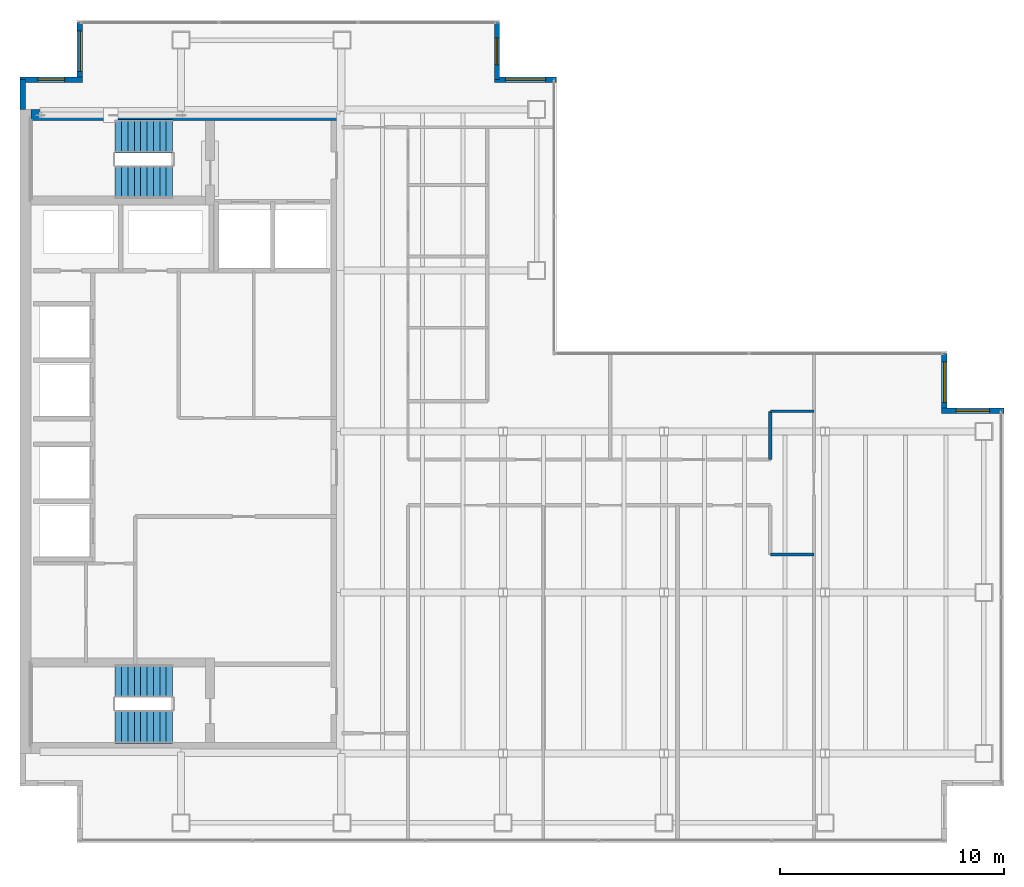
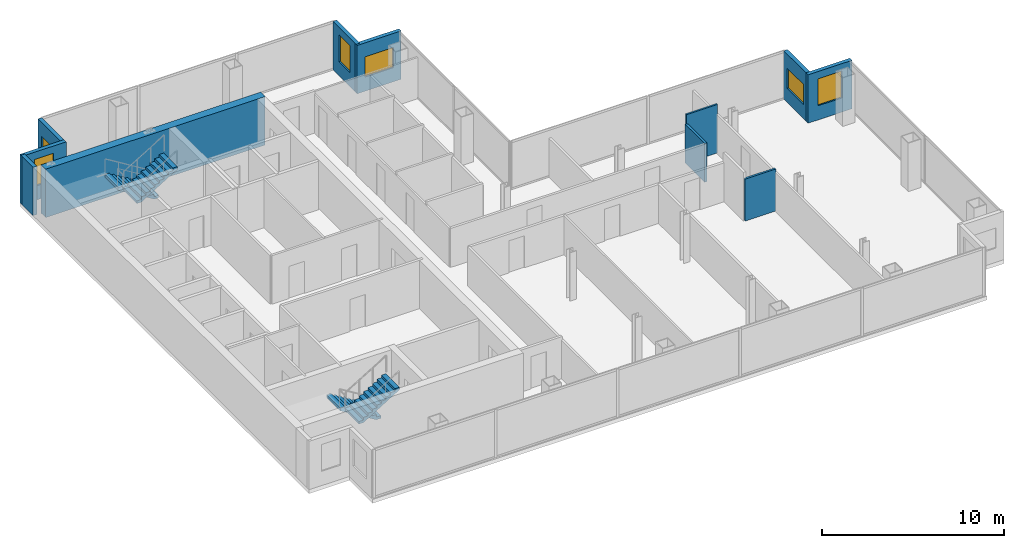
# One storey, part 22 of 23: 11 walls, 6 windows, 4 stair flights, 6 openings, 2 elements without a shape of their own.
"""IFC4 building model written with IfcOpenShell, lengths in metres."""

from ifc_helpers import new_model, si_unit, direction, frame, frame_2d, origin, place, context, subcontext, project, spatial, polyline, rectangle, outline, extrude, material, layer, layer_set, type_object, element, fill, aggregate, save


model = new_model("IFC4")

# Units and contexts
model_context = context("Model", 3, precision=1e-05, world=origin(), true_north=direction((0.0, 1.0)))
body_context = subcontext(model_context, "Body", "Model", "MODEL_VIEW")
ifc_project = project(units=[si_unit("LENGTHUNIT", "METRE"), si_unit("AREAUNIT", "SQUARE_METRE"), si_unit("VOLUMEUNIT", "CUBIC_METRE"), si_unit("PLANEANGLEUNIT", "RADIAN"), si_unit("MASSUNIT", "GRAM", prefix="KILO")], contexts=[model_context])

# Site, building, storey
site_placement = place(None, origin())
site = spatial("IfcSite", under=ifc_project, at=site_placement, CompositionType="ELEMENT")
building_placement = place(site_placement, origin())
building = spatial("IfcBuilding", under=site, at=building_placement, Name="Cobrela Telecom Tower", CompositionType="ELEMENT")
storey_placement = place(building_placement, frame((0.0, 0.0, 190.75)))
storey = spatial("IfcBuildingStorey", under=building, at=storey_placement, Name="L48", CompositionType="ELEMENT", Elevation=190.75)

# Walls
ifc_material_1 = material(Name="Concrete C40/50", Category="concrete")
ifc_layer_1 = layer(ifc_material_1, 0.5)
ifc_layer_set_1 = layer_set([ifc_layer_1], Name="Concrete C40/50")
wall_type_1 = type_object("IfcWallType", Name="WALL-CORE-C40-500", PredefinedType="SHEAR", material=ifc_layer_set_1)
wall_1_placement = place(storey_placement, frame((0.5, 35.75, 0.0), z_axis=(0.0, 0.0, 1.0), x_axis=(1.0, 0.0, 0.0)))
element("IfcWall", 1, at=wall_1_placement, inside=storey, type_object=wall_type_1, Name="L48 North Core Shear Wall", PredefinedType="SHEAR", context=body_context, shape_type="SweptSolid", body=[
    extrude(rectangle(XDim=13.89990234375, YDim=0.5, at=frame_2d((6.949951171875, 0.0))), origin(), (0.0, 0.0, 1.0), 3.239990234375),
])
ifc_layer_2 = layer(ifc_material_1, 0.239990234375)
ifc_layer_set_2 = layer_set([ifc_layer_2], Name="Concrete C40/50")
wall_type_2 = type_object("IfcWallType", Name="WALL-EXT-300", PredefinedType="STANDARD", material=ifc_layer_set_2)
wall_2_placement = place(storey_placement, frame((0.1201171875, 36.0, 0.0), z_axis=(0.0, 0.0, 1.0), x_axis=(0.0, 1.0, 0.0)))
element("IfcWall", 2, at=wall_2_placement, inside=storey, type_object=wall_type_2, Name="L48 Insulated Facade Wall 04", PredefinedType="STANDARD", context=body_context, shape_type="SweptSolid", body=[
    extrude(rectangle(XDim=1.330078125, YDim=0.239990234375, at=frame_2d((0.6650390625, 0.0))), origin(), (0.0, 0.0, 1.0), 3.239990234375),
])

# Wall, opening, window
wall_3_placement = place(storey_placement, frame((0.0, 37.330078125, 0.0), z_axis=(0.0, 0.0, 1.0), x_axis=(1.0, 0.0, 0.0)))
wall_3 = element("IfcWall", 3, at=wall_3_placement, inside=storey, type_object=wall_type_2, Name="L48 Insulated Facade Wall 05", PredefinedType="STANDARD", context=body_context, shape_type="SweptSolid", body=[
    extrude(rectangle(XDim=2.7900390625, YDim=0.239990234375, at=frame_2d((1.39501953125, 0.0))), origin(), (0.0, 0.0, 1.0), 3.239990234375),
])
opening_1_placement = place(wall_3_placement, frame((0.794921875, 0.0, 0.949951171875)))
opening_1 = element("IfcOpeningElement", 4, at=opening_1_placement, cuts=wall_3, Name="Opening WN-19", PredefinedType="OPENING", context=body_context, shape_type="SweptSolid", body=[
    extrude(rectangle(XDim=1.199951171875, YDim=1.800048828125, at=frame_2d((0.60009765625, 0.89990234375))), frame((0.0, 0.1318359375, 0.0), z_axis=(0.0, -1.0, 0.0), x_axis=(1.0, 0.0, 0.0)), (0.0, 0.0, 1.0), 0.263916015625),
])
ifc_material_2 = material(Name="Solar-Control Bronze Low-E Glass", Category="glass")
window_type_1 = type_object("IfcWindowType", Name="WIN-MOD-1200", PartitioningType="SINGLE_PANEL", PredefinedType="WINDOW", material=ifc_material_2)
window_1_placement = place(opening_1_placement, origin())
window_1 = element("IfcWindow", 5, at=window_1_placement, inside=storey, type_object=window_type_1, Name="L48 Corner Notch Facade Window 231", OverallHeight=1.800048828125, OverallWidth=1.199951171875, PartitioningType="SINGLE_PANEL", PredefinedType="WINDOW", context=body_context, shape_type="SweptSolid", body=[
    extrude(rectangle(XDim=1.199951171875, YDim=1.800048828125, at=frame_2d((0.60009765625, 0.89990234375))), frame((0.0, 0.030029296875, 0.0), z_axis=(0.0, -1.0, 0.0), x_axis=(1.0, 0.0, 0.0)), (0.0, 0.0, 1.0), 0.06005859375),
])
fill(opening_1, window_1)

wall_4_placement = place(storey_placement, frame((2.669921875, 37.330078125, 0.0), z_axis=(0.0, 0.0, 1.0), x_axis=(0.0, 1.0, 0.0)))
wall_4 = element("IfcWall", 6, at=wall_4_placement, inside=storey, type_object=wall_type_2, Name="L48 Insulated Facade Wall 06", PredefinedType="STANDARD", context=body_context, shape_type="SweptSolid", body=[
    extrude(rectangle(XDim=2.5498046875, YDim=0.239990234375, at=frame_2d((1.27490234375, 0.0))), origin(), (0.0, 0.0, 1.0), 3.239990234375),
])
opening_2_placement = place(wall_4_placement, frame((0.375, 0.0, 0.949951171875)))
opening_2 = element("IfcOpeningElement", 7, at=opening_2_placement, cuts=wall_4, Name="Opening WN-27", PredefinedType="OPENING", context=body_context, shape_type="SweptSolid", body=[
    extrude(rectangle(XDim=1.800048828125, YDim=1.35009765625, at=frame_2d((0.89990234375, 0.675048828125))), frame((0.0, 0.1318359375, 0.0), z_axis=(0.0, -1.0, 0.0), x_axis=(1.0, 0.0, 0.0)), (0.0, 0.0, 1.0), 0.263916015625),
])
window_type_2 = type_object("IfcWindowType", Name="WIN-CLER-1800", PartitioningType="SINGLE_PANEL", PredefinedType="WINDOW", material=ifc_material_2)
window_2_placement = place(opening_2_placement, origin())
window_2 = element("IfcWindow", 8, at=window_2_placement, inside=storey, type_object=window_type_2, Name="L48 Corner Notch Facade Window 232", OverallHeight=1.35009765625, OverallWidth=1.800048828125, PartitioningType="SINGLE_PANEL", PredefinedType="WINDOW", context=body_context, shape_type="SweptSolid", body=[
    extrude(rectangle(XDim=1.800048828125, YDim=1.35009765625, at=frame_2d((0.89990234375, 0.675048828125))), frame((0.0, 0.030029296875, 0.0), z_axis=(0.0, -1.0, 0.0), x_axis=(1.0, 0.0, 0.0)), (0.0, 0.0, 1.0), 0.06005859375),
])
fill(opening_2, window_2)

wall_5_placement = place(storey_placement, frame((21.330078125, 39.8798828125, 0.0), z_axis=(0.0, 0.0, 1.0), x_axis=(0.0, -1.0, 0.0)))
wall_5 = element("IfcWall", 9, at=wall_5_placement, inside=storey, type_object=wall_type_2, Name="L48 Insulated Facade Wall 08", PredefinedType="STANDARD", context=body_context, shape_type="SweptSolid", body=[
    extrude(rectangle(XDim=2.5498046875, YDim=0.239990234375, at=frame_2d((1.27490234375, 0.0))), origin(), (0.0, 0.0, 1.0), 3.239990234375),
])
opening_3_placement = place(wall_5_placement, frame((0.675048828125, 0.0, 0.949951171875)))
opening_3 = element("IfcOpeningElement", 10, at=opening_3_placement, cuts=wall_5, Name="Opening WN-19", PredefinedType="OPENING", context=body_context, shape_type="SweptSolid", body=[
    extrude(rectangle(XDim=1.199951171875, YDim=1.800048828125, at=frame_2d((0.60009765625, 0.89990234375))), frame((0.0, 0.1318359375, 0.0), z_axis=(0.0, -1.0, 0.0), x_axis=(1.0, 0.0, 0.0)), (0.0, 0.0, 1.0), 0.263916015625),
])
window_3_placement = place(opening_3_placement, origin())
window_3 = element("IfcWindow", 11, at=window_3_placement, inside=storey, type_object=window_type_1, Name="L48 Corner Notch Facade Window 233", OverallHeight=1.800048828125, OverallWidth=1.199951171875, PartitioningType="SINGLE_PANEL", PredefinedType="WINDOW", context=body_context, shape_type="SweptSolid", body=[
    extrude(rectangle(XDim=1.199951171875, YDim=1.800048828125, at=frame_2d((0.60009765625, 0.89990234375))), frame((0.0, 0.030029296875, 0.0), z_axis=(0.0, -1.0, 0.0), x_axis=(1.0, 0.0, 0.0)), (0.0, 0.0, 1.0), 0.06005859375),
])
fill(opening_3, window_3)

wall_6_placement = place(storey_placement, frame((21.2099609375, 37.330078125, 0.0), z_axis=(0.0, 0.0, 1.0), x_axis=(1.0, 0.0, 0.0)))
wall_6 = element("IfcWall", 12, at=wall_6_placement, inside=storey, type_object=wall_type_2, Name="L48 Insulated Facade Wall 09", PredefinedType="STANDARD", context=body_context, shape_type="SweptSolid", body=[
    extrude(rectangle(XDim=2.7900390625, YDim=0.239990234375, at=frame_2d((1.39501953125, 0.0))), origin(), (0.0, 0.0, 1.0), 3.239990234375),
])
opening_4_placement = place(wall_6_placement, frame((0.4951171875, 0.0, 0.949951171875)))
opening_4 = element("IfcOpeningElement", 13, at=opening_4_placement, cuts=wall_6, Name="Opening WN-27", PredefinedType="OPENING", context=body_context, shape_type="SweptSolid", body=[
    extrude(rectangle(XDim=1.800048828125, YDim=1.35009765625, at=frame_2d((0.89990234375, 0.675048828125))), frame((0.0, 0.1318359375, 0.0), z_axis=(0.0, -1.0, 0.0), x_axis=(1.0, 0.0, 0.0)), (0.0, 0.0, 1.0), 0.263916015625),
])
window_4_placement = place(opening_4_placement, origin())
window_4 = element("IfcWindow", 14, at=window_4_placement, inside=storey, type_object=window_type_2, Name="L48 Corner Notch Facade Window 234", OverallHeight=1.35009765625, OverallWidth=1.800048828125, PartitioningType="SINGLE_PANEL", PredefinedType="WINDOW", context=body_context, shape_type="SweptSolid", body=[
    extrude(rectangle(XDim=1.800048828125, YDim=1.35009765625, at=frame_2d((0.89990234375, 0.675048828125))), frame((0.0, 0.030029296875, 0.0), z_axis=(0.0, -1.0, 0.0), x_axis=(1.0, 0.0, 0.0)), (0.0, 0.0, 1.0), 0.06005859375),
])
fill(opening_4, window_4)

wall_7_placement = place(storey_placement, frame((41.330078125, 25.080078125, 0.0), z_axis=(0.0, 0.0, 1.0), x_axis=(0.0, -1.0, 0.0)))
wall_7 = element("IfcWall", 15, at=wall_7_placement, inside=storey, type_object=wall_type_2, Name="L48 Insulated Facade Wall 12", PredefinedType="STANDARD", context=body_context, shape_type="SweptSolid", body=[
    extrude(rectangle(XDim=2.550048828125, YDim=0.239990234375, at=frame_2d((1.27490234375, 0.0))), origin(), (0.0, 0.0, 1.0), 3.239990234375),
])
opening_5_placement = place(wall_7_placement, frame((0.375, 0.0, 0.949951171875)))
opening_5 = element("IfcOpeningElement", 16, at=opening_5_placement, cuts=wall_7, Name="Opening WN-27", PredefinedType="OPENING", context=body_context, shape_type="SweptSolid", body=[
    extrude(rectangle(XDim=1.800048828125, YDim=1.35009765625, at=frame_2d((0.89990234375, 0.675048828125))), frame((0.0, 0.1318359375, 0.0), z_axis=(0.0, -1.0, 0.0), x_axis=(1.0, 0.0, 0.0)), (0.0, 0.0, 1.0), 0.263916015625),
])
window_5_placement = place(opening_5_placement, origin())
window_5 = element("IfcWindow", 17, at=window_5_placement, inside=storey, type_object=window_type_2, Name="L48 Corner Notch Facade Window 235", OverallHeight=1.35009765625, OverallWidth=1.800048828125, PartitioningType="SINGLE_PANEL", PredefinedType="WINDOW", context=body_context, shape_type="SweptSolid", body=[
    extrude(rectangle(XDim=1.800048828125, YDim=1.35009765625, at=frame_2d((0.89990234375, 0.675048828125))), frame((0.0, 0.030029296875, 0.0), z_axis=(0.0, -1.0, 0.0), x_axis=(1.0, 0.0, 0.0)), (0.0, 0.0, 1.0), 0.06005859375),
])
fill(opening_5, window_5)

wall_8_placement = place(storey_placement, frame((41.2099609375, 22.530029296875, 0.0), z_axis=(0.0, 0.0, 1.0), x_axis=(1.0, 0.0, 0.0)))
wall_8 = element("IfcWall", 18, at=wall_8_placement, inside=storey, type_object=wall_type_2, Name="L48 Insulated Facade Wall 13", PredefinedType="STANDARD", context=body_context, shape_type="SweptSolid", body=[
    extrude(rectangle(XDim=2.7900390625, YDim=0.239990234375, at=frame_2d((1.39501953125, 0.0))), origin(), (0.0, 0.0, 1.0), 3.239990234375),
])
opening_6_placement = place(wall_8_placement, frame((0.64501953125, 0.0, 0.949951171875)))
opening_6 = element("IfcOpeningElement", 19, at=opening_6_placement, cuts=wall_8, Name="Opening WN-45", PredefinedType="OPENING", context=body_context, shape_type="SweptSolid", body=[
    extrude(rectangle(XDim=1.5, YDim=1.800048828125, at=frame_2d((0.75, 0.89990234375))), frame((0.0, 0.1318359375, 0.0), z_axis=(0.0, -1.0, 0.0), x_axis=(1.0, 0.0, 0.0)), (0.0, 0.0, 1.0), 0.263916015625),
])
window_type_3 = type_object("IfcWindowType", Name="WIN-MOD-1500", PartitioningType="SINGLE_PANEL", PredefinedType="WINDOW", material=ifc_material_2)
window_6_placement = place(opening_6_placement, origin())
window_6 = element("IfcWindow", 20, at=window_6_placement, inside=storey, type_object=window_type_3, Name="L48 Corner Notch Facade Window 236", OverallHeight=1.800048828125, OverallWidth=1.5, PartitioningType="SINGLE_PANEL", PredefinedType="WINDOW", context=body_context, shape_type="SweptSolid", body=[
    extrude(rectangle(XDim=1.5, YDim=1.800048828125, at=frame_2d((0.75, 0.89990234375))), frame((0.0, 0.030029296875, 0.0), z_axis=(0.0, -1.0, 0.0), x_axis=(1.0, 0.0, 0.0)), (0.0, 0.0, 1.0), 0.06005859375),
])
fill(opening_6, window_6)

# Walls
ifc_material_3 = material(Name="Fire-Rated Gypsum Plasterboard")
ifc_layer_3 = layer(ifc_material_3, 0.110107421875)
ifc_layer_set_3 = layer_set([ifc_layer_3], Name="Fire-Rated Gypsum Plasterboard")
wall_type_3 = type_object("IfcWallType", Name="WALL-PART-110", PredefinedType="PARTITIONING", material=ifc_layer_set_3)
wall_9_placement = place(storey_placement, frame((33.550048828125, 22.5, 0.0), z_axis=(0.0, 0.0, 1.0), x_axis=(1.0, 0.0, 0.0)))
element("IfcWall", 21, at=wall_9_placement, inside=storey, type_object=wall_type_3, Name="L48 Interior Partition W-CT-N", PredefinedType="PARTITIONING", context=body_context, shape_type="SweptSolid", body=[
    extrude(rectangle(XDim=1.949951171875, YDim=0.110107421875, at=frame_2d((0.97509765625, 0.0))), origin(), (0.0, 0.0, 1.0), 3.239990234375),
])
ifc_layer_4 = layer(ifc_material_3, 0.135009765625)
ifc_layer_set_4 = layer_set([ifc_layer_4], Name="Fire-Rated Gypsum Plasterboard")
wall_type_4 = type_object("IfcWallType", Name="WALL-PART-135", PredefinedType="PARTITIONING", material=ifc_layer_set_4)
wall_10_placement = place(storey_placement, frame((33.550048828125, 16.10009765625, 0.0), z_axis=(0.0, 0.0, 1.0), x_axis=(1.0, 0.0, 0.0)))
element("IfcWall", 22, at=wall_10_placement, inside=storey, type_object=wall_type_4, Name="L48 Interior Partition W-CT-S", PredefinedType="PARTITIONING", context=body_context, shape_type="SweptSolid", body=[
    extrude(rectangle(XDim=1.949951171875, YDim=0.135009765625, at=frame_2d((0.97509765625, 0.0))), origin(), (0.0, 0.0, 1.0), 2.80810546875),
])
ifc_layer_5 = layer(ifc_material_3, 0.14990234375)
ifc_layer_set_5 = layer_set([ifc_layer_5], Name="Fire-Rated Gypsum Plasterboard")
wall_type_5 = type_object("IfcWallType", Name="WALL-PART-150", PredefinedType="PARTITIONING", material=ifc_layer_set_5)
wall_11_placement = place(storey_placement, frame((33.550048828125, 20.35009765625, 0.0), z_axis=(0.0, 0.0, 1.0), x_axis=(0.0, 1.0, 0.0)))
element("IfcWall", 23, at=wall_11_placement, inside=storey, type_object=wall_type_5, Name="L48 Interior Partition W-CT-JW2", PredefinedType="PARTITIONING", context=body_context, shape_type="SweptSolid", body=[
    extrude(rectangle(XDim=2.14990234375, YDim=0.14990234375, at=frame_2d((1.074951171875, 0.0))), origin(), (0.0, 0.0, 1.0), 2.60302734375),
])

# Stair, stair flights
stair_type = type_object("IfcStairType", Name="STAIR-CORE", PredefinedType="HALF_TURN_STAIR", material=ifc_material_1)
stair_1_placement = place(storey_placement, origin())
stair_1 = element("IfcStair", 24, at=stair_1_placement, inside=storey, type_object=stair_type, Name="L48 Smokeproof Exit Stair ST1", PredefinedType="HALF_TURN_STAIR")
stair_flight_type = type_object("IfcStairFlightType", Name="FLIGHT-CORE", PredefinedType="STRAIGHT", material=ifc_material_1)
stair_flight_1_placement = place(storey_placement, frame((6.820068359375, 34.800048828125, 0.0), z_axis=(0.0, 0.0, 1.0), x_axis=(-1.0, 0.0, 0.0)))
stair_flight_1 = element("IfcStairFlight", 25, at=stair_flight_1_placement, type_object=stair_flight_type, Name="ST1 flight 1", NumberOfRisers=10, NumberOfTreads=9, PredefinedType="STRAIGHT", RiserHeight=0.175, TreadLength=0.285, context=body_context, shape_type="SweptSolid", body=[
    extrude(outline(polyline([(0.0, 0.0), (0.0, 0.175048828125), (0.284912109375, 0.175048828125), (0.284912109375, 0.35009765625), (0.570068359375, 0.35009765625), (0.570068359375, 0.52490234375), (0.85498046875, 0.52490234375), (0.85498046875, 0.699951171875), (1.139892578125, 0.699951171875), (1.139892578125, 0.875), (1.425048828125, 0.875), (1.425048828125, 1.050048828125), (1.7099609375, 1.050048828125), (1.7099609375, 1.22509765625), (1.9951171875, 1.22509765625), (1.9951171875, 1.39990234375), (2.280029296875, 1.39990234375), (2.280029296875, 1.574951171875), (2.56494140625, 1.574951171875), (2.56494140625, 1.75), (2.56494140625, 1.399169921875), (0.286376953125, 0.0), (0.0, 0.0)])), frame((0.0, 0.75, 0.0), z_axis=(0.0, -1.0, 0.0), x_axis=(1.0, 0.0, 0.0)), (0.0, 0.0, 1.0), 1.5),
])
stair_flight_2_placement = place(storey_placement, frame((4.2548828125, 32.75, 1.75), z_axis=(0.0, 0.0, 1.0), x_axis=(1.0, 0.0, 0.0)))
stair_flight_2 = element("IfcStairFlight", 26, at=stair_flight_2_placement, type_object=stair_flight_type, Name="ST1 flight 2", NumberOfRisers=10, NumberOfTreads=9, PredefinedType="STRAIGHT", RiserHeight=0.175, TreadLength=0.285, context=body_context, shape_type="SweptSolid", body=[
    extrude(outline(polyline([(0.0, 0.0), (0.0, 0.175048828125), (0.284912109375, 0.175048828125), (0.284912109375, 0.35009765625), (0.570068359375, 0.35009765625), (0.570068359375, 0.52490234375), (0.85498046875, 0.52490234375), (0.85498046875, 0.699951171875), (1.139892578125, 0.699951171875), (1.139892578125, 0.875), (1.425048828125, 0.875), (1.425048828125, 1.050048828125), (1.7099609375, 1.050048828125), (1.7099609375, 1.22509765625), (1.9951171875, 1.22509765625), (1.9951171875, 1.39990234375), (2.280029296875, 1.39990234375), (2.280029296875, 1.574951171875), (2.56494140625, 1.574951171875), (2.56494140625, 1.75), (2.56494140625, 1.399169921875), (0.286376953125, 0.0), (0.0, 0.0)])), frame((0.0, 0.75, 0.0), z_axis=(0.0, -1.0, 0.0), x_axis=(1.0, 0.0, 0.0)), (0.0, 0.0, 1.0), 1.5),
])
aggregate(stair_1, [stair_flight_1, stair_flight_2])

stair_2_placement = place(storey_placement, origin())
stair_2 = element("IfcStair", 27, at=stair_2_placement, inside=storey, type_object=stair_type, Name="L48 Smokeproof Exit Stair ST2", PredefinedType="HALF_TURN_STAIR")
stair_flight_3_placement = place(storey_placement, frame((6.820068359375, 10.449951171875, 0.0), z_axis=(0.0, 0.0, 1.0), x_axis=(-1.0, 0.0, 0.0)))
stair_flight_3 = element("IfcStairFlight", 28, at=stair_flight_3_placement, type_object=stair_flight_type, Name="ST2 flight 1", NumberOfRisers=10, NumberOfTreads=9, PredefinedType="STRAIGHT", RiserHeight=0.175, TreadLength=0.285, context=body_context, shape_type="SweptSolid", body=[
    extrude(outline(polyline([(0.0, 0.0), (0.0, 0.175048828125), (0.284912109375, 0.175048828125), (0.284912109375, 0.35009765625), (0.570068359375, 0.35009765625), (0.570068359375, 0.52490234375), (0.85498046875, 0.52490234375), (0.85498046875, 0.699951171875), (1.139892578125, 0.699951171875), (1.139892578125, 0.875), (1.425048828125, 0.875), (1.425048828125, 1.050048828125), (1.7099609375, 1.050048828125), (1.7099609375, 1.22509765625), (1.9951171875, 1.22509765625), (1.9951171875, 1.39990234375), (2.280029296875, 1.39990234375), (2.280029296875, 1.574951171875), (2.56494140625, 1.574951171875), (2.56494140625, 1.75), (2.56494140625, 1.399169921875), (0.286376953125, 0.0), (0.0, 0.0)])), frame((0.0, 0.75, 0.0), z_axis=(0.0, -1.0, 0.0), x_axis=(1.0, 0.0, 0.0)), (0.0, 0.0, 1.0), 1.5),
])
stair_flight_4_placement = place(storey_placement, frame((4.2548828125, 8.39990234375, 1.75), z_axis=(0.0, 0.0, 1.0), x_axis=(1.0, 0.0, 0.0)))
stair_flight_4 = element("IfcStairFlight", 29, at=stair_flight_4_placement, type_object=stair_flight_type, Name="ST2 flight 2", NumberOfRisers=10, NumberOfTreads=9, PredefinedType="STRAIGHT", RiserHeight=0.175, TreadLength=0.285, context=body_context, shape_type="SweptSolid", body=[
    extrude(outline(polyline([(0.0, 0.0), (0.0, 0.175048828125), (0.284912109375, 0.175048828125), (0.284912109375, 0.35009765625), (0.570068359375, 0.35009765625), (0.570068359375, 0.52490234375), (0.85498046875, 0.52490234375), (0.85498046875, 0.699951171875), (1.139892578125, 0.699951171875), (1.139892578125, 0.875), (1.425048828125, 0.875), (1.425048828125, 1.050048828125), (1.7099609375, 1.050048828125), (1.7099609375, 1.22509765625), (1.9951171875, 1.22509765625), (1.9951171875, 1.39990234375), (2.280029296875, 1.39990234375), (2.280029296875, 1.574951171875), (2.56494140625, 1.574951171875), (2.56494140625, 1.75), (2.56494140625, 1.399169921875), (0.286376953125, 0.0), (0.0, 0.0)])), frame((0.0, 0.75, 0.0), z_axis=(0.0, -1.0, 0.0), x_axis=(1.0, 0.0, 0.0)), (0.0, 0.0, 1.0), 1.5),
])
aggregate(stair_2, [stair_flight_3, stair_flight_4])

save(model, "model.ifc")
